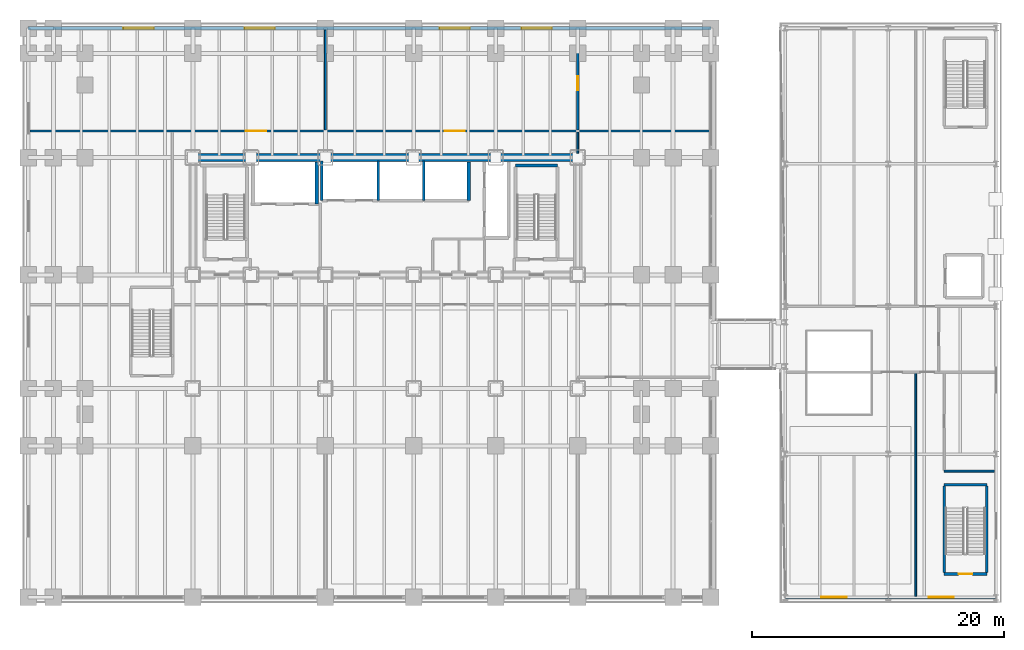
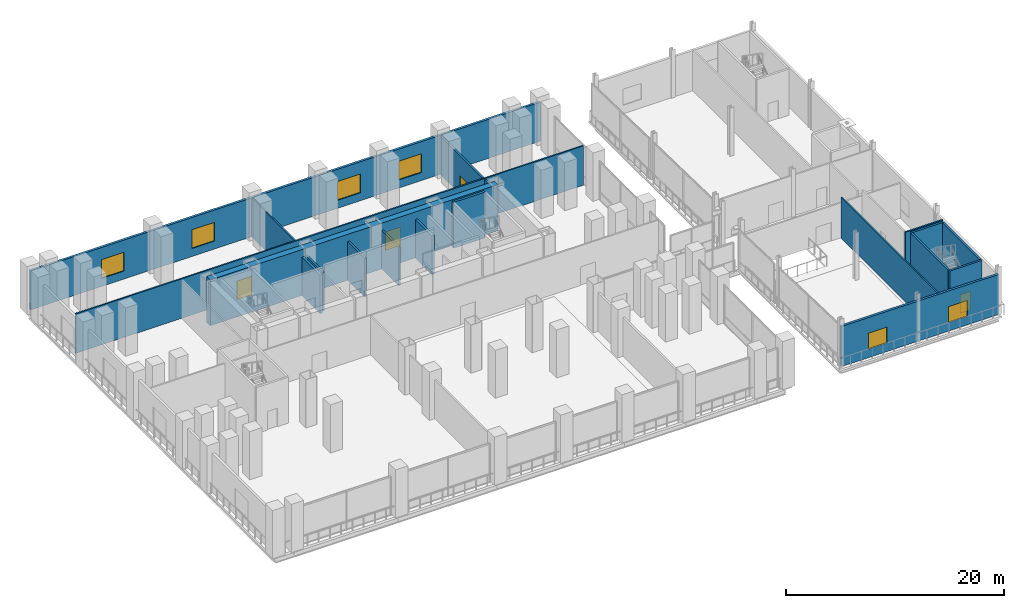
# One storey, part 23 of 31: 19 walls, 6 windows, 4 doors, 10 openings.
"""IFC4 building model written with IfcOpenShell, lengths in metres."""

from ifc_helpers import new_model, si_unit, direction, frame, frame_2d, origin, place, context, subcontext, project, spatial, rectangle, extrude, material, layer, layer_set, type_object, element, fill, save


model = new_model("IFC4")

# Units and contexts
model_context = context("Model", 3, precision=1e-05, world=origin(), true_north=direction((0.0, 1.0)))
body_context = subcontext(model_context, "Body", "Model", "MODEL_VIEW")
ifc_project = project(units=[si_unit("LENGTHUNIT", "METRE"), si_unit("AREAUNIT", "SQUARE_METRE"), si_unit("VOLUMEUNIT", "CUBIC_METRE"), si_unit("PLANEANGLEUNIT", "RADIAN"), si_unit("MASSUNIT", "GRAM", prefix="KILO")], contexts=[model_context])

# Site, building, storey
site_placement = place(None, origin())
site = spatial("IfcSite", under=ifc_project, at=site_placement, CompositionType="ELEMENT")
building_placement = place(site_placement, origin())
building = spatial("IfcBuilding", under=site, at=building_placement, Name="Noeulbin Bourse Tower", CompositionType="ELEMENT")
storey_placement = place(building_placement, frame((0.0, 0.0, 11.199951171875)))
storey = spatial("IfcBuildingStorey", under=building, at=storey_placement, Name="L03", CompositionType="ELEMENT", Elevation=11.199951171875)

# Wall
ifc_material_1 = material(Name="Concrete C60/75", Category="concrete")
ifc_layer_1 = layer(ifc_material_1, 0.64990234375)
ifc_layer_set_1 = layer_set([ifc_layer_1], Name="Concrete C60/75")
wall_type_1 = type_object("IfcWallType", Name="WAL-CORE-650", PredefinedType="SHEAR", material=ifc_layer_set_1)
wall_1_placement = place(storey_placement, frame((13.5, 38.300048828125, 0.0), z_axis=(0.0, 0.0, 1.0), x_axis=(1.0, 0.0, 0.0)))
element("IfcWall", 1, at=wall_1_placement, inside=storey, type_object=wall_type_1, Name="Rear Core North Shear Wall L03", PredefinedType="SHEAR", context=body_context, shape_type="SweptSolid", body=[
    extrude(rectangle(XDim=30.5, YDim=0.64990234375, at=frame_2d((15.25, 0.0))), origin(), (0.0, 0.0, 1.0), 5.150146484375),
])

# Wall, openings, windows
ifc_material_2 = material(Name="Precast Concrete C40/50", Category="concrete")
ifc_layer_2 = layer(ifc_material_2, 0.25)
ifc_layer_set_2 = layer_set([ifc_layer_2], Name="Precast Concrete C40/50")
wall_type_2 = type_object("IfcWallType", Name="WAL-EXT-250", PredefinedType="STANDARD", material=ifc_layer_set_2)
wall_2_placement = place(storey_placement, frame((0.449951171875, 48.550048828125, 0.0), z_axis=(0.0, 0.0, 1.0), x_axis=(1.0, 0.0, 0.0)))
wall_2 = element("IfcWall", 2, at=wall_2_placement, inside=storey, type_object=wall_type_2, Name="Podium North Precast Wall L03", PredefinedType="STANDARD", context=body_context, shape_type="SweptSolid", body=[
    extrude(rectangle(XDim=54.10009765625, YDim=0.25, at=frame_2d((27.050048828125, 0.0))), origin(), (0.0, 0.0, 1.0), 4.3701171875),
])
opening_1_placement = place(wall_2_placement, frame((7.550048828125, 0.0, 0.89990234375)))
opening_1 = element("IfcOpeningElement", 3, at=opening_1_placement, cuts=wall_2, Name="Opening W-01", PredefinedType="OPENING", context=body_context, shape_type="SweptSolid", body=[
    extrude(rectangle(XDim=2.39990234375, YDim=2.10009765625, at=frame_2d((1.199951171875, 1.050048828125))), frame((0.0, 0.135009765625, 0.0), z_axis=(0.0, -1.0, 0.0), x_axis=(1.0, 0.0, 0.0)), (0.0, 0.0, 1.0), 0.27001953125),
])
opening_2_placement = place(wall_2_placement, frame((17.14990234375, 0.0, 0.89990234375)))
opening_2 = element("IfcOpeningElement", 4, at=opening_2_placement, cuts=wall_2, Name="Opening W-01", PredefinedType="OPENING", context=body_context, shape_type="SweptSolid", body=[
    extrude(rectangle(XDim=2.39990234375, YDim=2.10009765625, at=frame_2d((1.199951171875, 1.050048828125))), frame((0.0, 0.135009765625, 0.0), z_axis=(0.0, -1.0, 0.0), x_axis=(1.0, 0.0, 0.0)), (0.0, 0.0, 1.0), 0.27001953125),
])
opening_3_placement = place(wall_2_placement, frame((32.60009765625, 0.0, 0.89990234375)))
opening_3 = element("IfcOpeningElement", 5, at=opening_3_placement, cuts=wall_2, Name="Opening W-01", PredefinedType="OPENING", context=body_context, shape_type="SweptSolid", body=[
    extrude(rectangle(XDim=2.39990234375, YDim=2.10009765625, at=frame_2d((1.199951171875, 1.050048828125))), frame((0.0, 0.135009765625, 0.0), z_axis=(0.0, -1.0, 0.0), x_axis=(1.0, 0.0, 0.0)), (0.0, 0.0, 1.0), 0.27001953125),
])
opening_4_placement = place(wall_2_placement, frame((39.10009765625, 0.0, 0.89990234375)))
opening_4 = element("IfcOpeningElement", 6, at=opening_4_placement, cuts=wall_2, Name="Opening W-01", PredefinedType="OPENING", context=body_context, shape_type="SweptSolid", body=[
    extrude(rectangle(XDim=2.39990234375, YDim=2.10009765625, at=frame_2d((1.199951171875, 1.050048828125))), frame((0.0, 0.135009765625, 0.0), z_axis=(0.0, -1.0, 0.0), x_axis=(1.0, 0.0, 0.0)), (0.0, 0.0, 1.0), 0.27001953125),
])
ifc_material_3 = material(Name="Thermally Broken Aluminium Triple Glazing", Category="aluminium")
window_type_1 = type_object("IfcWindowType", Name="WIN-POD-2400x2100", PartitioningType="SINGLE_PANEL", PredefinedType="WINDOW", material=ifc_material_3)
window_1_placement = place(opening_1_placement, origin())
window_1 = element("IfcWindow", 7, at=window_1_placement, inside=storey, type_object=window_type_1, Name="Podium North Window L03-01", OverallHeight=2.10009765625, OverallWidth=2.39990234375, PartitioningType="SINGLE_PANEL", PredefinedType="WINDOW", context=body_context, shape_type="SweptSolid", body=[
    extrude(rectangle(XDim=2.39990234375, YDim=2.10009765625, at=frame_2d((1.199951171875, 1.050048828125))), frame((0.0, 0.030029296875, 0.0), z_axis=(0.0, -1.0, 0.0), x_axis=(1.0, 0.0, 0.0)), (0.0, 0.0, 1.0), 0.06005859375),
])
fill(opening_1, window_1)
window_2_placement = place(opening_2_placement, origin())
window_2 = element("IfcWindow", 8, at=window_2_placement, inside=storey, type_object=window_type_1, Name="Podium North Window L03-02", OverallHeight=2.10009765625, OverallWidth=2.39990234375, PartitioningType="SINGLE_PANEL", PredefinedType="WINDOW", context=body_context, shape_type="SweptSolid", body=[
    extrude(rectangle(XDim=2.39990234375, YDim=2.10009765625, at=frame_2d((1.199951171875, 1.050048828125))), frame((0.0, 0.030029296875, 0.0), z_axis=(0.0, -1.0, 0.0), x_axis=(1.0, 0.0, 0.0)), (0.0, 0.0, 1.0), 0.06005859375),
])
fill(opening_2, window_2)
window_3_placement = place(opening_3_placement, origin())
window_3 = element("IfcWindow", 9, at=window_3_placement, inside=storey, type_object=window_type_1, Name="Podium North Window L03-03", OverallHeight=2.10009765625, OverallWidth=2.39990234375, PartitioningType="SINGLE_PANEL", PredefinedType="WINDOW", context=body_context, shape_type="SweptSolid", body=[
    extrude(rectangle(XDim=2.39990234375, YDim=2.10009765625, at=frame_2d((1.199951171875, 1.050048828125))), frame((0.0, 0.030029296875, 0.0), z_axis=(0.0, -1.0, 0.0), x_axis=(1.0, 0.0, 0.0)), (0.0, 0.0, 1.0), 0.06005859375),
])
fill(opening_3, window_3)
window_4_placement = place(opening_4_placement, origin())
window_4 = element("IfcWindow", 10, at=window_4_placement, inside=storey, type_object=window_type_1, Name="Podium North Window L03-04", OverallHeight=2.10009765625, OverallWidth=2.39990234375, PartitioningType="SINGLE_PANEL", PredefinedType="WINDOW", context=body_context, shape_type="SweptSolid", body=[
    extrude(rectangle(XDim=2.39990234375, YDim=2.10009765625, at=frame_2d((1.199951171875, 1.050048828125))), frame((0.0, 0.030029296875, 0.0), z_axis=(0.0, -1.0, 0.0), x_axis=(1.0, 0.0, 0.0)), (0.0, 0.0, 1.0), 0.06005859375),
])
fill(opening_4, window_4)

wall_3_placement = place(storey_placement, frame((60.449951171875, 3.449951171875, 0.0), z_axis=(0.0, 0.0, 1.0), x_axis=(1.0, 0.0, 0.0)))
wall_3 = element("IfcWall", 11, at=wall_3_placement, inside=storey, type_object=wall_type_2, Name="Market Hall South Wall L03", PredefinedType="STANDARD", context=body_context, shape_type="SweptSolid", body=[
    extrude(rectangle(XDim=16.699951171875, YDim=0.25, at=frame_2d((8.35009765625, 0.0))), origin(), (0.0, 0.0, 1.0), 4.5),
])
opening_5_placement = place(wall_3_placement, frame((2.85009765625, 0.0, 0.949951171875)))
opening_5 = element("IfcOpeningElement", 12, at=opening_5_placement, cuts=wall_3, Name="Opening W-02", PredefinedType="OPENING", context=body_context, shape_type="SweptSolid", body=[
    extrude(rectangle(XDim=2.0, YDim=1.800048828125, at=frame_2d((1.0, 0.89990234375))), frame((0.0, 0.135009765625, 0.0), z_axis=(0.0, -1.0, 0.0), x_axis=(1.0, 0.0, 0.0)), (0.0, 0.0, 1.0), 0.27001953125),
])
opening_6_placement = place(wall_3_placement, frame((11.35009765625, 0.0, 0.949951171875)))
opening_6 = element("IfcOpeningElement", 13, at=opening_6_placement, cuts=wall_3, Name="Opening W-02", PredefinedType="OPENING", context=body_context, shape_type="SweptSolid", body=[
    extrude(rectangle(XDim=2.0, YDim=1.800048828125, at=frame_2d((1.0, 0.89990234375))), frame((0.0, 0.135009765625, 0.0), z_axis=(0.0, -1.0, 0.0), x_axis=(1.0, 0.0, 0.0)), (0.0, 0.0, 1.0), 0.27001953125),
])
window_type_2 = type_object("IfcWindowType", Name="WIN-MKT-2000x1800", PartitioningType="DOUBLE_PANEL_VERTICAL", PredefinedType="WINDOW", material=ifc_material_3)
window_5_placement = place(opening_5_placement, origin())
window_5 = element("IfcWindow", 14, at=window_5_placement, inside=storey, type_object=window_type_2, Name="Market South Window L03-1", OverallHeight=1.800048828125, OverallWidth=2.0, PartitioningType="SINGLE_PANEL", PredefinedType="WINDOW", context=body_context, shape_type="SweptSolid", body=[
    extrude(rectangle(XDim=2.0, YDim=1.800048828125, at=frame_2d((1.0, 0.89990234375))), frame((0.0, 0.030029296875, 0.0), z_axis=(0.0, -1.0, 0.0), x_axis=(1.0, 0.0, 0.0)), (0.0, 0.0, 1.0), 0.06005859375),
])
fill(opening_5, window_5)
window_6_placement = place(opening_6_placement, origin())
window_6 = element("IfcWindow", 15, at=window_6_placement, inside=storey, type_object=window_type_2, Name="Market South Window L03-2", OverallHeight=1.800048828125, OverallWidth=2.0, PartitioningType="SINGLE_PANEL", PredefinedType="WINDOW", context=body_context, shape_type="SweptSolid", body=[
    extrude(rectangle(XDim=2.0, YDim=1.800048828125, at=frame_2d((1.0, 0.89990234375))), frame((0.0, 0.030029296875, 0.0), z_axis=(0.0, -1.0, 0.0), x_axis=(1.0, 0.0, 0.0)), (0.0, 0.0, 1.0), 0.06005859375),
])
fill(opening_6, window_6)

# Wall, opening, door
ifc_material_4 = material(Name="Concrete C40/50", Category="concrete")
ifc_layer_3 = layer(ifc_material_4, 0.199951171875)
ifc_layer_set_3 = layer_set([ifc_layer_3], Name="Concrete C40/50")
wall_type_3 = type_object("IfcWallType", Name="WAL-FIRE-200", PredefinedType="STANDARD", material=ifc_layer_set_3)
wall_4_placement = place(storey_placement, frame((73.02001953125, 5.300048828125, 0.0), z_axis=(0.0, 0.0, 1.0), x_axis=(1.0, 0.0, 0.0)))
wall_4 = element("IfcWall", 16, at=wall_4_placement, inside=storey, type_object=wall_type_3, Name="Stair MST1 South Wall L03", PredefinedType="STANDARD", context=body_context, shape_type="SweptSolid", body=[
    extrude(rectangle(XDim=3.39990234375, YDim=0.199951171875, at=frame_2d((1.699951171875, 0.0))), origin(), (0.0, 0.0, 1.0), 5.179931640625),
])
opening_7_placement = place(wall_4_placement, frame((1.14990234375, 0.0, 0.0)))
opening_7 = element("IfcOpeningElement", 17, at=opening_7_placement, cuts=wall_4, Name="Opening FD-11", PredefinedType="OPENING", context=body_context, shape_type="SweptSolid", body=[
    extrude(rectangle(XDim=1.10009765625, YDim=2.080078125, at=frame_2d((0.550048828125, 1.0400390625))), frame((0.0, 0.10986328125, 0.0), z_axis=(0.0, -1.0, 0.0), x_axis=(1.0, 0.0, 0.0)), (0.0, 0.0, 1.0), 0.219970703125),
])
ifc_material_5 = material(Name="Fire-Rated Insulated Steel", Category="steel")
door_type_1 = type_object("IfcDoorType", Name="DR-FD60-1100", OperationType="SINGLE_SWING_LEFT", PredefinedType="DOOR", material=ifc_material_5)
door_1_placement = place(opening_7_placement, origin())
door_1 = element("IfcDoor", 18, at=door_1_placement, inside=storey, type_object=door_type_1, Name="Escape Stair Door MST1-L03", OperationType="SINGLE_SWING_RIGHT", OverallHeight=2.080078125, OverallWidth=1.10009765625, PredefinedType="DOOR", context=body_context, shape_type="SweptSolid", body=[
    extrude(rectangle(XDim=1.10009765625, YDim=2.080078125, at=frame_2d((0.550048828125, 1.0400390625))), frame((0.0, 0.02490234375, 0.0), z_axis=(0.0, -1.0, 0.0), x_axis=(1.0, 0.0, 0.0)), (0.0, 0.0, 1.0), 0.050048828125),
])
fill(opening_7, door_1)

# Walls
wall_5_placement = place(storey_placement, frame((73.02001953125, 12.360107421875, 0.0), z_axis=(0.0, 0.0, 1.0), x_axis=(1.0, 0.0, 0.0)))
element("IfcWall", 19, at=wall_5_placement, inside=storey, type_object=wall_type_3, Name="Stair MST1 North Wall L03", PredefinedType="STANDARD", context=body_context, shape_type="SweptSolid", body=[
    extrude(rectangle(XDim=3.39990234375, YDim=0.199951171875, at=frame_2d((1.699951171875, 0.0))), origin(), (0.0, 0.0, 1.0), 5.179931640625),
])
for number, where, z_axis, x_axis, name in (
    (20, (73.0400390625, 5.39990234375, 0.0), (0.0, 0.0, 1.0), (0.0, 1.0, 0.0), "Stair MST1 West Wall L03"),
    (21, (76.39990234375, 5.39990234375, 0.0), (0.0, 0.0, 1.0), (0.0, 1.0, 0.0), "Stair MST1 East Wall L03"),
):
    element("IfcWall", number, at=place(storey_placement, frame(where, z_axis=z_axis, x_axis=x_axis)), inside=storey, type_object=wall_type_3, Name=name, PredefinedType="STANDARD", context=body_context, shape_type="SweptSolid", body=[
        extrude(rectangle(XDim=6.860107421875, YDim=0.199951171875, at=frame_2d((3.43017578125, 0.0))), origin(), (0.0, 0.0, 1.0), 5.179931640625),
    ])

# Wall, opening, door
wall_6_placement = place(storey_placement, frame((44.0, 40.485107421875, 0.0), z_axis=(0.0, 0.0, 1.0), x_axis=(0.0, 1.0, 0.0)))
wall_6 = element("IfcWall", 22, at=wall_6_placement, inside=storey, type_object=wall_type_3, Name="Interior Partition Wall L03-13", PredefinedType="STANDARD", context=body_context, shape_type="SweptSolid", body=[
    extrude(rectangle(XDim=7.934814453125, YDim=0.199951171875, at=frame_2d((3.96728515625, 0.0))), origin(), (0.0, 0.0, 1.0), 4.330078125),
])
opening_8_placement = place(wall_6_placement, frame((3.1650390625, 0.0, 0.0)))
opening_8 = element("IfcOpeningElement", 23, at=opening_8_placement, cuts=wall_6, Name="Opening FD-11", PredefinedType="OPENING", context=body_context, shape_type="SweptSolid", body=[
    extrude(rectangle(XDim=1.10009765625, YDim=2.080078125, at=frame_2d((0.550048828125, 1.0400390625))), frame((0.0, 0.10986328125, 0.0), z_axis=(0.0, -1.0, 0.0), x_axis=(1.0, 0.0, 0.0)), (0.0, 0.0, 1.0), 0.219970703125),
])
door_2_placement = place(opening_8_placement, origin())
door_2 = element("IfcDoor", 24, at=door_2_placement, inside=storey, type_object=door_type_1, Name="Interior Door L03-07", OperationType="SINGLE_SWING_RIGHT", OverallHeight=2.080078125, OverallWidth=1.10009765625, PredefinedType="DOOR", context=body_context, shape_type="SweptSolid", body=[
    extrude(rectangle(XDim=1.10009765625, YDim=2.080078125, at=frame_2d((0.550048828125, 1.0400390625))), frame((0.0, 0.02490234375, 0.0), z_axis=(0.0, -1.0, 0.0), x_axis=(1.0, 0.0, 0.0)), (0.0, 0.0, 1.0), 0.050048828125),
])
fill(opening_8, door_2)

# Wall, openings, doors
ifc_material_6 = material(Name="Steel Stud Acoustic Gypsum Board", Category="steel")
ifc_layer_4 = layer(ifc_material_6, 0.14990234375)
ifc_layer_set_4 = layer_set([ifc_layer_4], Name="Steel Stud Acoustic Gypsum Board")
wall_type_4 = type_object("IfcWallType", Name="WAL-PRT-150", PredefinedType="PARTITIONING", material=ifc_layer_set_4)
wall_7_placement = place(storey_placement, frame((0.580078125, 40.39990234375, 0.0), z_axis=(0.0, 0.0, 1.0), x_axis=(1.0, 0.0, 0.0)))
wall_7 = element("IfcWall", 25, at=wall_7_placement, inside=storey, type_object=wall_type_4, Name="Interior Partition Wall L03-03", PredefinedType="PARTITIONING", context=body_context, shape_type="SweptSolid", body=[
    extrude(rectangle(XDim=53.889892578125, YDim=0.14990234375, at=frame_2d((26.94482421875, 0.0))), origin(), (0.0, 0.0, 1.0), 4.429931640625),
])
opening_9_placement = place(wall_7_placement, frame((17.1201171875, 0.0, 0.0)))
opening_9 = element("IfcOpeningElement", 26, at=opening_9_placement, cuts=wall_7, Name="Opening ID-16", PredefinedType="OPENING", context=body_context, shape_type="SweptSolid", body=[
    extrude(rectangle(XDim=1.60009765625, YDim=2.080078125, at=frame_2d((0.800048828125, 1.0400390625))), frame((0.0, 0.0849609375, 0.0), z_axis=(0.0, -1.0, 0.0), x_axis=(1.0, 0.0, 0.0)), (0.0, 0.0, 1.0), 0.169921875),
])
opening_10_placement = place(wall_7_placement, frame((32.8701171875, 0.0, 0.0)))
opening_10 = element("IfcOpeningElement", 27, at=opening_10_placement, cuts=wall_7, Name="Opening ID-16", PredefinedType="OPENING", context=body_context, shape_type="SweptSolid", body=[
    extrude(rectangle(XDim=1.60009765625, YDim=2.080078125, at=frame_2d((0.800048828125, 1.0400390625))), frame((0.0, 0.0849609375, 0.0), z_axis=(0.0, -1.0, 0.0), x_axis=(1.0, 0.0, 0.0)), (0.0, 0.0, 1.0), 0.169921875),
])
ifc_material_7 = material(Name="Acoustic Glazed Aluminium", Category="aluminium")
door_type_2 = type_object("IfcDoorType", Name="DR-DBL-1600", OperationType="DOUBLE_DOOR_SINGLE_SWING", PredefinedType="DOOR", material=ifc_material_7)
door_3_placement = place(opening_9_placement, origin())
door_3 = element("IfcDoor", 28, at=door_3_placement, inside=storey, type_object=door_type_2, Name="Interior Door L03-05", OperationType="DOUBLE_DOOR_SINGLE_SWING", OverallHeight=2.080078125, OverallWidth=1.60009765625, PredefinedType="DOOR", context=body_context, shape_type="SweptSolid", body=[
    extrude(rectangle(XDim=1.60009765625, YDim=2.080078125, at=frame_2d((0.800048828125, 1.0400390625))), frame((0.0, 0.02490234375, 0.0), z_axis=(0.0, -1.0, 0.0), x_axis=(1.0, 0.0, 0.0)), (0.0, 0.0, 1.0), 0.050048828125),
])
fill(opening_9, door_3)
door_4_placement = place(opening_10_placement, origin())
door_4 = element("IfcDoor", 29, at=door_4_placement, inside=storey, type_object=door_type_2, Name="Interior Door L03-06", OperationType="DOUBLE_DOOR_SINGLE_SWING", OverallHeight=2.080078125, OverallWidth=1.60009765625, PredefinedType="DOOR", context=body_context, shape_type="SweptSolid", body=[
    extrude(rectangle(XDim=1.60009765625, YDim=2.080078125, at=frame_2d((0.800048828125, 1.0400390625))), frame((0.0, 0.02490234375, 0.0), z_axis=(0.0, -1.0, 0.0), x_axis=(1.0, 0.0, 0.0)), (0.0, 0.0, 1.0), 0.050048828125),
])
fill(opening_10, door_4)

# Walls
wall_8_placement = place(storey_placement, frame((73.0400390625, 13.449951171875, 0.0), z_axis=(0.0, 0.0, 1.0), x_axis=(1.0, 0.0, 0.0)))
element("IfcWall", 30, at=wall_8_placement, inside=storey, type_object=wall_type_4, Name="Interior Partition Wall L03-06", PredefinedType="PARTITIONING", context=body_context, shape_type="SweptSolid", body=[
    extrude(rectangle(XDim=3.97998046875, YDim=0.14990234375, at=frame_2d((1.989990234375, 0.0))), origin(), (0.0, 0.0, 1.0), 4.56005859375),
])
wall_9_placement = place(storey_placement, frame((24.0, 40.485107421875, 0.0), z_axis=(0.0, 0.0, 1.0), x_axis=(0.0, 1.0, 0.0)))
element("IfcWall", 31, at=wall_9_placement, inside=storey, type_object=wall_type_4, Name="Interior Partition Wall L03-12", PredefinedType="PARTITIONING", context=body_context, shape_type="SweptSolid", body=[
    extrude(rectangle(XDim=7.934814453125, YDim=0.14990234375, at=frame_2d((3.96728515625, 0.0))), origin(), (0.0, 0.0, 1.0), 4.330078125),
])
wall_10_placement = place(storey_placement, frame((44.0, 38.635009765625, 0.0), z_axis=(0.0, 0.0, 1.0), x_axis=(0.0, 1.0, 0.0)))
element("IfcWall", 32, at=wall_10_placement, inside=storey, type_object=wall_type_4, Name="Interior Partition Wall L03-14", PredefinedType="PARTITIONING", context=body_context, shape_type="SweptSolid", body=[
    extrude(rectangle(XDim=1.679931640625, YDim=0.14990234375, at=frame_2d((0.83984375, 0.0))), origin(), (0.0, 0.0, 1.0), 4.330078125),
])
wall_11_placement = place(storey_placement, frame((70.780029296875, 3.530029296875, 0.0), z_axis=(0.0, 0.0, 1.0), x_axis=(0.0, 1.0, 0.0)))
element("IfcWall", 33, at=wall_11_placement, inside=storey, type_object=wall_type_4, Name="Interior Partition Wall L03-16", PredefinedType="PARTITIONING", context=body_context, shape_type="SweptSolid", body=[
    extrude(rectangle(XDim=17.68505859375, YDim=0.14990234375, at=frame_2d((8.842529296875, 0.0))), origin(), (0.0, 0.0, 1.0), 4.56005859375),
])
ifc_layer_5 = layer(ifc_material_4, 0.25)
ifc_layer_set_5 = layer_set([ifc_layer_5], Name="Concrete C40/50")
wall_type_5 = type_object("IfcWallType", Name="WAL-SHFT-250", PredefinedType="STANDARD", material=ifc_layer_set_5)
wall_12_placement = place(storey_placement, frame((39.06005859375, 37.6689453125, 0.0), z_axis=(0.0, 0.0, 1.0), x_axis=(1.0, 0.0, 0.0)))
element("IfcWall", 34, at=wall_12_placement, inside=storey, type_object=wall_type_5, Name="Stair ST-2 North Shaft Wall L03", PredefinedType="STANDARD", context=body_context, shape_type="SweptSolid", body=[
    extrude(rectangle(XDim=3.33984375, YDim=0.25, at=frame_2d((1.669921875, 0.0))), origin(), (0.0, 0.0, 1.0), 5.150146484375),
])
wall_13_placement = place(storey_placement, frame((23.320068359375, 34.6201171875, 0.0), z_axis=(0.0, 0.0, 1.0), x_axis=(0.0, 1.0, 0.0)))
element("IfcWall", 35, at=wall_13_placement, inside=storey, type_object=wall_type_5, Name="Firefighting Lift East Shaft Wall L03", PredefinedType="STANDARD", context=body_context, shape_type="SweptSolid", body=[
    extrude(rectangle(XDim=3.329833984375, YDim=0.25, at=frame_2d((1.6650390625, 0.0))), origin(), (0.0, 0.0, 1.0), 4.330078125),
])
wall_14_placement = place(storey_placement, frame((35.360107421875, 34.89990234375, 0.0), z_axis=(0.0, 0.0, 1.0), x_axis=(0.0, 1.0, 0.0)))
element("IfcWall", 36, at=wall_14_placement, inside=storey, type_object=wall_type_5, Name="High-Rise Lift East Shaft Wall L03", PredefinedType="STANDARD", context=body_context, shape_type="SweptSolid", body=[
    extrude(rectangle(XDim=3.050048828125, YDim=0.25, at=frame_2d((1.52490234375, 0.0))), origin(), (0.0, 0.0, 1.0), 4.330078125),
])
for number, where, z_axis, x_axis, name in (
    (37, (23.719970703125, 34.89990234375, 0.0), (0.0, 0.0, 1.0), (0.0, 1.0, 0.0), "Hoistway Side Shaft Wall L03-PLLW"),
    (38, (28.179931640625, 34.89990234375, 0.0), (0.0, 0.0, 1.0), (0.0, 1.0, 0.0), "Hoistway Side Shaft Wall L03-PLMW"),
    (39, (31.780029296875, 34.89990234375, 0.0), (0.0, 0.0, 1.0), (0.0, 1.0, 0.0), "Hoistway Side Shaft Wall L03-PLHW"),
):
    element("IfcWall", number, at=place(storey_placement, frame(where, z_axis=z_axis, x_axis=x_axis)), inside=storey, type_object=wall_type_5, Name=name, PredefinedType="STANDARD", context=body_context, shape_type="SweptSolid", body=[
        extrude(rectangle(XDim=3.1201171875, YDim=0.199951171875, at=frame_2d((1.56005859375, 0.0))), origin(), (0.0, 0.0, 1.0), 4.330078125),
    ])

save(model, "model.ifc")
